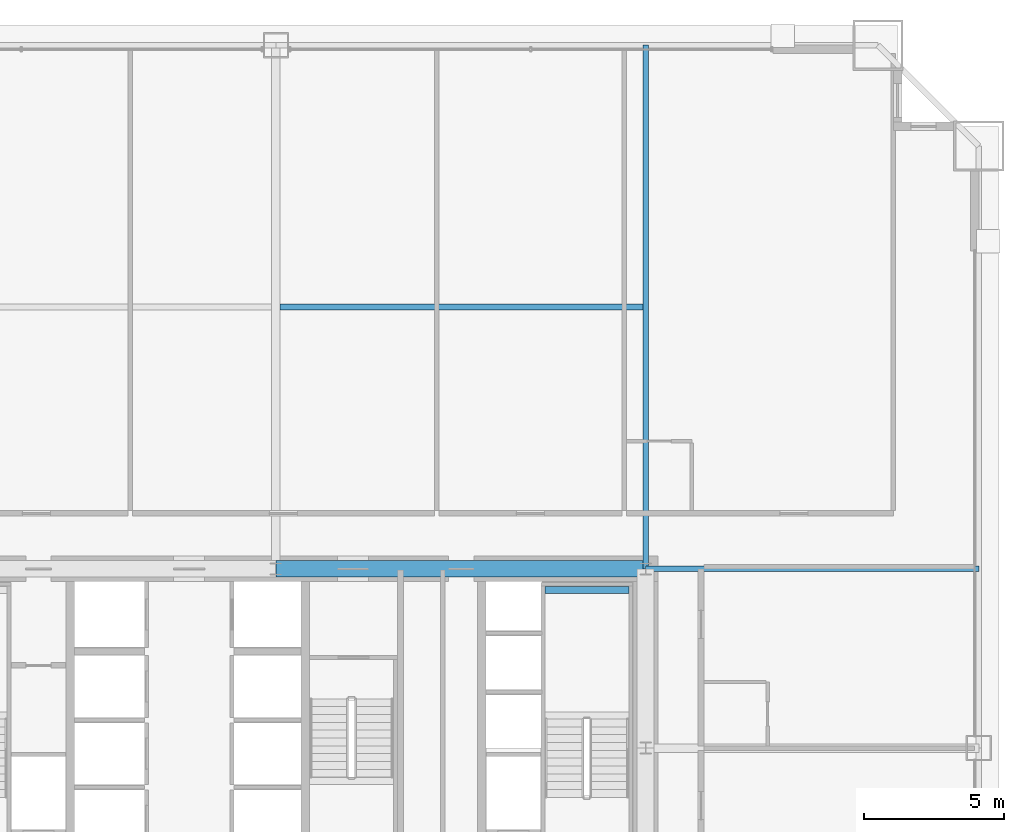
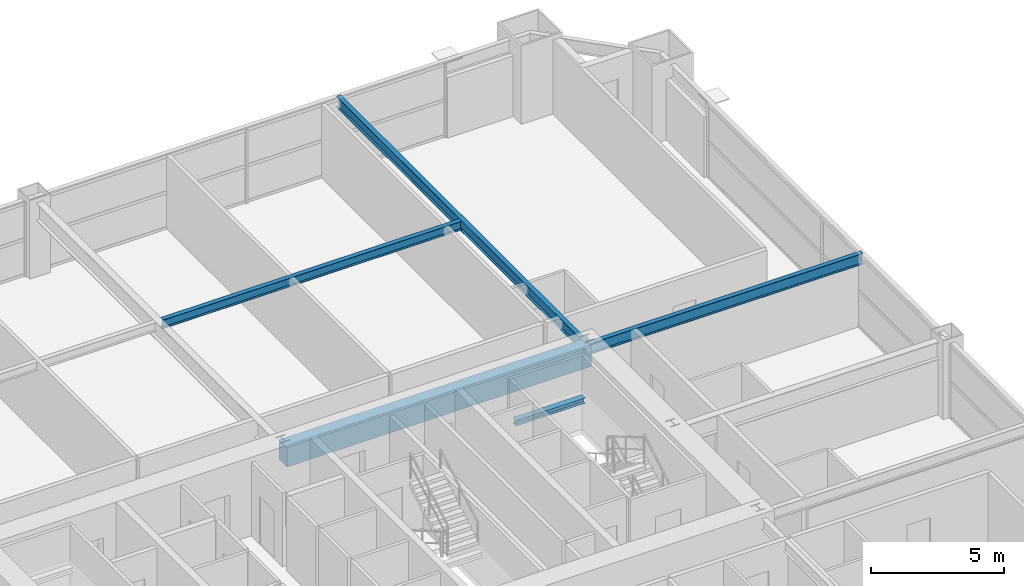
# One storey, part 31 of 43: 5 beams.
"""IFC4 building model written with IfcOpenShell, lengths in metres."""

from ifc_helpers import new_model, si_unit, direction, frame, origin, origin_2d, place, context, subcontext, project, spatial, rectangle, i_section, extrude, source, transform, mapped, material, material_profile, profile_set, type_object, element, save


model = new_model("IFC4")

# Units and contexts
model_context = context("Model", 3, precision=1e-05, world=origin(), true_north=direction((0.0, 1.0)))
body_context = subcontext(model_context, "Body", "Model", "MODEL_VIEW")
ifc_project = project(units=[si_unit("LENGTHUNIT", "METRE"), si_unit("AREAUNIT", "SQUARE_METRE"), si_unit("VOLUMEUNIT", "CUBIC_METRE"), si_unit("PLANEANGLEUNIT", "RADIAN"), si_unit("MASSUNIT", "GRAM", prefix="KILO"), si_unit("THERMODYNAMICTEMPERATUREUNIT", "KELVIN"), si_unit("POWERUNIT", "WATT")], contexts=[model_context])

# Site, building, storey
site_placement = place(None, origin())
site = spatial("IfcSite", under=ifc_project, at=site_placement, CompositionType="ELEMENT")
building_placement = place(site_placement, origin())
building = spatial("IfcBuilding", under=site, at=building_placement, Name="Yuzanri Waterfront Tower", CompositionType="ELEMENT")
storey_placement = place(building_placement, frame((0.0, 0.0, 64.0)))
storey = spatial("IfcBuildingStorey", under=building, at=storey_placement, Name="L16", CompositionType="ELEMENT", Elevation=64.0)

# Beams
ifc_material_1 = material(Name="Concrete C60", Category="concrete")
ifc_material_profile_1 = material_profile(ifc_material_1, rectangle(XDim=0.60009765625, YDim=0.89990234375, at=origin_2d()), Name="RC 600x900")
ifc_profile_set_1 = profile_set([ifc_material_profile_1], Name="Concrete C60")
beam_type_1 = type_object("IfcBeamType", Name="Core Coupling Lintel Concrete C60 600x900", PredefinedType="LINTEL", material=ifc_profile_set_1)
shared_shape_1 = source(origin(), body_context, "Body", "SweptSolid", [
    extrude(rectangle(XDim=0.60009765625, YDim=0.89990234375, at=origin_2d()), origin(), (0.0, 0.0, 1.0), 13.199951171875),
])
beam_1_placement = place(storey_placement, frame((37.0, 32.199951171875, 2.929931640625), z_axis=(1.0, 0.0, 0.0), x_axis=(0.0, 1.0, 0.0)))
element("IfcBeam", 1, at=beam_1_placement, inside=storey, type_object=beam_type_1, Name="L16 Core Tie Beam CN2", PredefinedType="LINTEL", context=body_context, shape_type="MappedRepresentation", body=[
    mapped(shared_shape_1, transform((0.0, 0.0, 0.0), scale=1.0)),
])
ifc_material_2 = material(Name="Steel Q355B", Category="steel")
ifc_material_profile_2 = material_profile(ifc_material_2, i_section(OverallWidth=0.199951171875, OverallDepth=0.5, WebThickness=0.010009765625, FlangeThickness=0.01611328125, at=origin_2d()), Name="HN 500x200x10x16")
ifc_profile_set_2 = profile_set([ifc_material_profile_2], Name="Steel Q355B")
beam_type_2 = type_object("IfcBeamType", Name="Secondary Floor Beam Q355B HN 500x200", PredefinedType="BEAM", material=ifc_profile_set_2)
shared_shape_2 = source(origin(), body_context, "Body", "SweptSolid", [
    extrude(i_section(OverallWidth=0.199951171875, OverallDepth=0.5, WebThickness=0.010009765625, FlangeThickness=0.01611328125, at=origin_2d()), origin(), (0.0, 0.0, 1.0), 18.699951171875),
])
beam_2_placement = place(storey_placement, frame((50.199951171875, 32.199951171875, 3.1298828125), z_axis=(0.0, 1.0, 0.0), x_axis=(-1.0, 0.0, 0.0)))
element("IfcBeam", 2, at=beam_2_placement, inside=storey, type_object=beam_type_2, Name="L16 North-East Core Line Beam", PredefinedType="BEAM", context=body_context, shape_type="MappedRepresentation", body=[
    mapped(shared_shape_2, transform((0.0, 0.0, 0.0), scale=1.0)),
])
shared_shape_3 = source(origin(), body_context, "Body", "SweptSolid", [
    extrude(i_section(OverallWidth=0.199951171875, OverallDepth=0.5, WebThickness=0.010009765625, FlangeThickness=0.01611328125, at=origin_2d()), origin(), (0.0, 0.0, 1.0), 11.900146484375),
])
beam_3_placement = place(storey_placement, frame((50.199951171875, 32.199951171875, 3.1298828125), z_axis=(1.0, 0.0, 0.0), x_axis=(0.0, 1.0, 0.0)))
element("IfcBeam", 3, at=beam_3_placement, inside=storey, type_object=beam_type_2, Name="L16 East-North Core Line Beam", PredefinedType="BEAM", context=body_context, shape_type="MappedRepresentation", body=[
    mapped(shared_shape_3, transform((0.0, 0.0, 0.0), scale=1.0)),
])
ifc_material_3 = material(Name="Steel Q355B", Category="steel")
ifc_material_profile_3 = material_profile(ifc_material_3, i_section(OverallWidth=0.199951171875, OverallDepth=0.39990234375, WebThickness=0.008056640625, FlangeThickness=0.012939453125, at=origin_2d()), Name="HN 400x200x8x13")
ifc_profile_set_3 = profile_set([ifc_material_profile_3], Name="Steel Q355B")
beam_type_3 = type_object("IfcBeamType", Name="Floor Joist Q355B HN 400x200", PredefinedType="JOIST", material=ifc_profile_set_3)
shared_shape_4 = source(origin(), body_context, "Body", "SweptSolid", [
    extrude(i_section(OverallWidth=0.199951171875, OverallDepth=0.39990234375, WebThickness=0.008056640625, FlangeThickness=0.012939453125, at=origin_2d()), origin(), (0.0, 0.0, 1.0), 12.9501953125),
])
beam_4_placement = place(storey_placement, frame((37.14990234375, 41.550048828125, 3.179931640625), z_axis=(1.0, 0.0, 0.0), x_axis=(0.0, 1.0, 0.0)))
element("IfcBeam", 4, at=beam_4_placement, inside=storey, type_object=beam_type_3, Name="L16 North Bay Joist E", PredefinedType="JOIST", context=body_context, shape_type="MappedRepresentation", body=[
    mapped(shared_shape_4, transform((0.0, 0.0, 0.0), scale=1.0)),
])
ifc_material_4 = material(Name="Steel Q355B", Category="steel")
ifc_material_profile_4 = material_profile(ifc_material_4, i_section(OverallWidth=0.25, OverallDepth=0.25, WebThickness=0.009033203125, FlangeThickness=0.013916015625, at=origin_2d()), Name="HW 250x250x9x14")
ifc_profile_set_4 = profile_set([ifc_material_profile_4], Name="Steel Q355B")
beam_type_4 = type_object("IfcBeamType", Name="Stair Landing Support Beam Q355B HW 250x250", PredefinedType="BEAM", material=ifc_profile_set_4)
shared_shape_5 = source(origin(), body_context, "Body", "SweptSolid", [
    extrude(i_section(OverallWidth=0.25, OverallDepth=0.25, WebThickness=0.009033203125, FlangeThickness=0.013916015625, at=origin_2d()), origin(), (0.0, 0.0, 1.0), 3.0),
])
beam_5_placement = place(storey_placement, frame((46.60009765625, 31.449951171875, 1.47509765625), z_axis=(1.0, 0.0, 0.0), x_axis=(0.0, 1.0, 0.0)))
element("IfcBeam", 5, at=beam_5_placement, inside=storey, type_object=beam_type_4, Name="L16 Stair Landing Support Beam ST-02-L16-L1-2", PredefinedType="BEAM", context=body_context, shape_type="MappedRepresentation", body=[
    mapped(shared_shape_5, transform((0.0, 0.0, 0.0), scale=1.0)),
])

save(model, "model.ifc")
